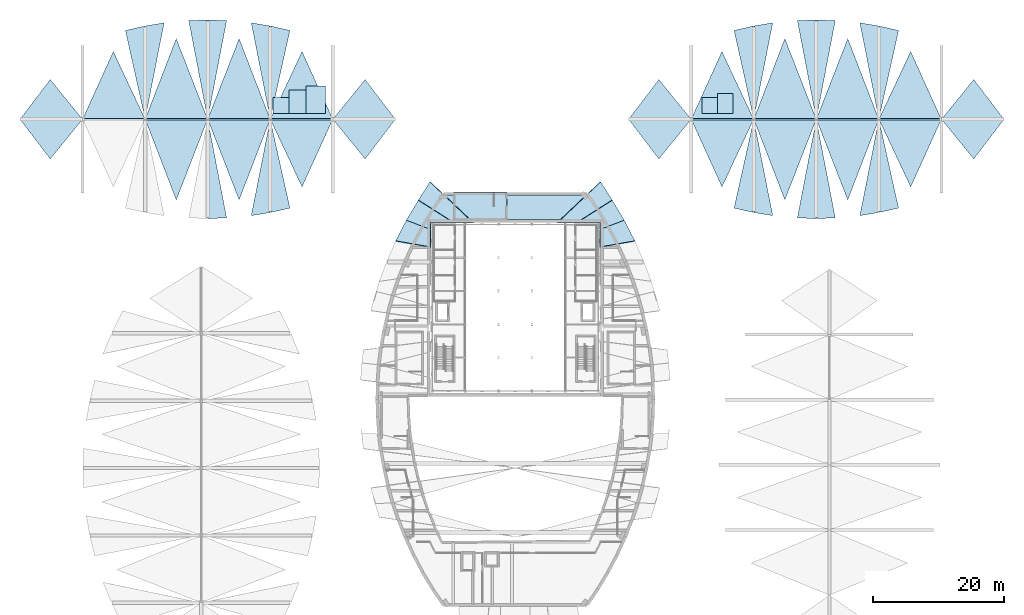
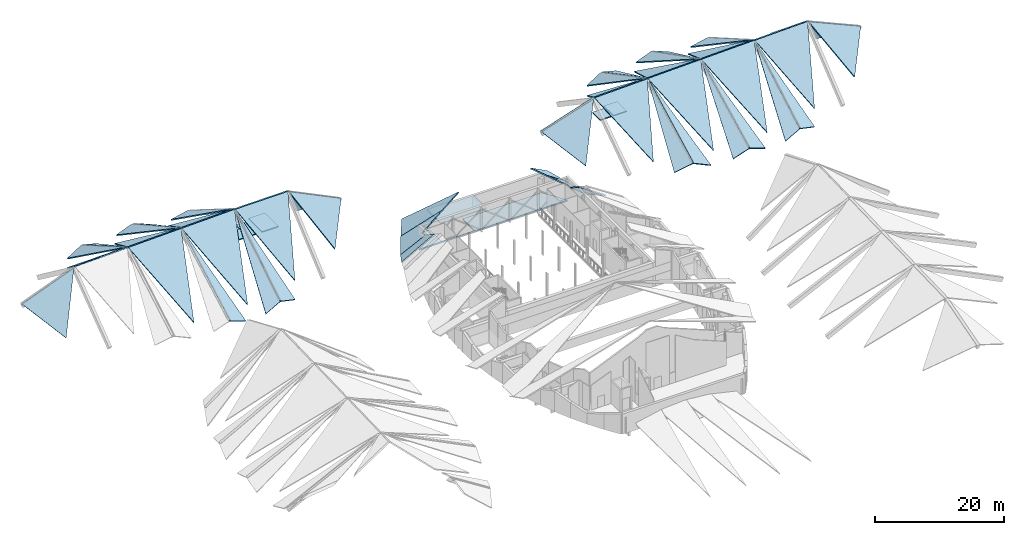
# One storey, part 9 of 17: 57 slabs.
"""IFC4 building model written with IfcOpenShell, lengths in metres."""

from ifc_helpers import new_model, si_unit, direction, frame, origin, place, context, subcontext, project, spatial, polyline, outline, extrude, material, layer, layer_set, type_object, element, save


model = new_model("IFC4")

# Units and contexts
model_context = context("Model", 3, precision=1e-05, world=origin(), true_north=direction((0.0, 1.0)))
body_context = subcontext(model_context, "Body", "Model", "MODEL_VIEW")
ifc_project = project(units=[si_unit("LENGTHUNIT", "METRE"), si_unit("AREAUNIT", "SQUARE_METRE"), si_unit("VOLUMEUNIT", "CUBIC_METRE"), si_unit("PLANEANGLEUNIT", "RADIAN"), si_unit("MASSUNIT", "GRAM", prefix="KILO")], contexts=[model_context])

# Site, building, storey
site_placement = place(None, origin())
site = spatial("IfcSite", under=ifc_project, at=site_placement, CompositionType="ELEMENT")
building_placement = place(site_placement, origin())
building = spatial("IfcBuilding", under=site, at=building_placement, Name="Tide Square Theatres", CompositionType="ELEMENT")
storey_placement = place(building_placement, frame((0.0, 0.0, 14.800048828125)))
storey = spatial("IfcBuildingStorey", under=building, at=storey_placement, Name="L03", CompositionType="ELEMENT", Elevation=14.800048828125)

# Slabs
ifc_material_1 = material(Name="Concrete C35", Category="concrete")
ifc_layer_1 = layer(ifc_material_1, 0.25)
ifc_layer_set_1 = layer_set([ifc_layer_1], Name="Concrete C35")
slab_type_1 = type_object("IfcSlabType", Name="RC floor slab 250", PredefinedType="FLOOR", material=ifc_layer_set_1)
slab_1_placement = place(storey_placement, frame((0.0, 0.0, -0.25)))
element("IfcSlab", 1, at=slab_1_placement, inside=storey, type_object=slab_type_1, Name="Floor slab", PredefinedType="FLOOR", context=body_context, shape_type="SweptSolid", body=[
    extrude(outline(polyline([(71.578125, 83.892333984375), (70.710205078125, 82.449951171875), (97.289794921875, 82.449951171875), (96.421875, 83.892333984375), (94.85498046875, 86.1923828125), (80.69482421875, 86.1923828125), (80.69482421875, 82.60009765625), (74.800048828125, 82.60009765625), (74.800048828125, 86.1923828125), (73.14501953125, 86.1923828125), (71.578125, 83.892333984375)])), origin(), (0.0, 0.0, 1.0), 0.25),
])
ifc_material_2 = material(Name="Concrete C40", Category="concrete")
ifc_layer_2 = layer(ifc_material_2, 0.199951171875)
ifc_layer_set_2 = layer_set([ifc_layer_2], Name="Concrete C40")
slab_type_2 = type_object("IfcSlabType", Name="RC roof slab 200", PredefinedType="ROOF", material=ifc_layer_set_2)
slab_2_placement = place(storey_placement, frame((0.0, 0.0, 3.46337890625)))
element("IfcSlab", 2, at=slab_2_placement, inside=storey, type_object=slab_type_2, Name="Main Theatre stair 5 head cover", PredefinedType="ROOF", context=body_context, shape_type="SweptSolid", body=[
    extrude(outline(polyline([(82.75, 86.64990234375), (74.550048828125, 86.64990234375), (74.550048828125, 82.35009765625), (82.75, 82.35009765625), (82.75, 86.64990234375)])), origin(), (0.0, 0.0, 1.0), 0.199951171875),
])
slab_3_placement = place(storey_placement, frame((100.648193359375, 82.37353515625, 0.1611328125), z_axis=(0.470704080111, 0.494541628134, 0.730661513294), x_axis=(-0.713952930525, -0.273057286725, 0.644756489817)))
element("IfcSlab", 3, at=slab_3_placement, inside=storey, type_object=slab_type_2, Name="Roof plate main-P028", PredefinedType="ROOF", context=body_context, shape_type="SweptSolid", body=[
    extrude(outline(polyline([(0.0, 0.0), (5.109890103649642, 0.0), (7.010782420096238, 2.6181524700937686), (0.39809343783097717, 3.679762099184262), (0.0, 0.0)])), origin(), (0.0, 0.0, -1.0), 0.199951171875),
])
slab_4_placement = place(storey_placement, frame((98.827392578125, 85.4208984375, 1.209716796875), z_axis=(0.639469491343, 0.120832786224, 0.759261619875), x_axis=(-0.660396849913, -0.419317812906, 0.622935448024)))
element("IfcSlab", 4, at=slab_4_placement, inside=storey, type_object=slab_type_2, Name="Roof plate main-P029", PredefinedType="ROOF", context=body_context, shape_type="SweptSolid", body=[
    extrude(outline(polyline([(0.0, 0.0), (8.15823807724221, 0.0), (3.939131525750853, 1.96624224087052), (4.468848336150369, 2.8549307454784354), (-0.577837528129227, 3.6561414928430005), (0.0, 0.0)])), origin(), (0.0, 0.0, -1.0), 0.199951171875),
])
slab_5_placement = place(storey_placement, frame((98.827392578125, 85.4208984375, 1.209716796875), z_axis=(0.629571531731, 0.142971065343, 0.763674643358), x_axis=(-0.515688369031, 0.812085599158, 0.273097941563)))
element("IfcSlab", 5, at=slab_5_placement, inside=storey, type_object=slab_type_2, Name="Roof plate main-P030", PredefinedType="ROOF", context=body_context, shape_type="SweptSolid", body=[
    extrude(outline(polyline([(0.0, 0.0), (3.457895323946825, -1.1102230246251565e-16), (3.582117577128825, 11.188427710711728), (1.3882017245957932, 8.039262683711494), (0.0, 0.0)])), origin(), (0.0, 0.0, -1.0), 0.199951171875),
])
slab_6_placement = place(storey_placement, frame((65.728515625, 79.228515625, 1.244140625), z_axis=(-0.470704080111, 0.494541628134, 0.730661513294), x_axis=(0.787094376381, -0.138809625617, 0.601011090168)))
element("IfcSlab", 6, at=slab_6_placement, inside=storey, type_object=slab_type_2, Name="Roof plate main-P058", PredefinedType="ROOF", context=body_context, shape_type="SweptSolid", body=[
    extrude(outline(polyline([(0.0, 0.0), (6.697362957220552, 4.440892098500626e-16), (5.235510901822373, 2.8863649324906806), (0.19022453988785681, 3.696341720710019), (0.0, 0.0)])), origin(), (0.0, 0.0, -1.0), 0.199951171875),
])
slab_7_placement = place(storey_placement, frame((67.351806640625, 82.37353515625, 0.1611328125), z_axis=(-0.639469491343, 0.120832786224, 0.759261619875), x_axis=(0.713950071992, -0.273052083128, 0.64476185883)))
element("IfcSlab", 7, at=slab_7_placement, inside=storey, type_object=slab_type_2, Name="Roof plate main-P059", PredefinedType="ROOF", context=body_context, shape_type="SweptSolid", body=[
    extrude(outline(polyline([(0.0, 0.0), (5.1098901039466575, 1.1102230246251565e-16), (4.7260682372790175, 0.9607538353344518), (9.201287731910881, 2.241136245978927), (1.1439589157693537, 3.5203160118992933), (0.0, 0.0)])), origin(), (0.0, 0.0, -1.0), 0.199951171875),
])
slab_8_placement = place(storey_placement, frame((69.172607421875, 85.4208984375, 1.209716796875), z_axis=(-0.629571531731, 0.142971065343, 0.763674643358), x_axis=(0.660398548846, -0.419318102495, 0.622933451986)))
element("IfcSlab", 8, at=slab_8_placement, inside=storey, type_object=slab_type_2, Name="Roof plate main-P060", PredefinedType="ROOF", context=body_context, shape_type="SweptSolid", body=[
    extrude(outline(polyline([(0.0, 0.0), (8.15823807729873, -3.3306690738754696e-16), (11.634792988761648, 1.6260606024561897), (0.58839374466553, 3.4074672225293368), (0.0, 0.0)])), origin(), (0.0, 0.0, -1.0), 0.199951171875),
])
slab_9_placement = place(storey_placement, frame((0.0, 0.0, -0.199951171875)))
element("IfcSlab", 9, at=slab_9_placement, inside=storey, type_object=slab_type_2, Name="Scenery Workshops lift overrun cover", PredefinedType="ROOF", context=body_context, shape_type="SweptSolid", body=[
    extrude(outline(polyline([(47.0, 101.10009765625), (47.0, 98.699951171875), (49.39990234375, 98.699951171875), (49.39990234375, 101.10009765625), (47.0, 101.10009765625)])), origin(), (0.0, 0.0, 1.0), 0.199951171875),
])
slab_10_placement = place(storey_placement, frame((0.0, 0.0, -0.199951171875)))
element("IfcSlab", 10, at=slab_10_placement, inside=storey, type_object=slab_type_2, Name="Scenery Workshops lift overrun cover", PredefinedType="ROOF", context=body_context, shape_type="SweptSolid", body=[
    extrude(outline(polyline([(49.39990234375, 102.300048828125), (49.39990234375, 101.10009765625), (49.39990234375, 98.699951171875), (52.0, 98.699951171875), (52.0, 102.300048828125), (49.39990234375, 102.300048828125)])), origin(), (0.0, 0.0, 1.0), 0.199951171875),
])
slab_11_placement = place(storey_placement, frame((0.0, 0.0, -0.199951171875)))
element("IfcSlab", 11, at=slab_11_placement, inside=storey, type_object=slab_type_2, Name="Scenery Workshops lift overrun cover", PredefinedType="ROOF", context=body_context, shape_type="SweptSolid", body=[
    extrude(outline(polyline([(52.0, 102.89990234375), (52.0, 102.300048828125), (52.0, 98.699951171875), (55.0, 98.699951171875), (55.0, 102.89990234375), (52.0, 102.89990234375)])), origin(), (0.0, 0.0, 1.0), 0.199951171875),
])
slab_12_placement = place(storey_placement, frame((12.9384765625, 91.72900390625, -2.199951171875), z_axis=(-0.258290843553, -0.696651105096, 0.669300439194), x_axis=(0.435185300043, 0.534629789483, 0.724420280516)))
element("IfcSlab", 12, at=slab_12_placement, inside=storey, type_object=slab_type_2, Name="Roof plate workshops-P005", PredefinedType="ROOF", context=body_context, shape_type="SweptSolid", body=[
    extrude(outline(polyline([(0.0, 0.0), (11.082069880969835, 0.0), (4.4134195578475355, 7.452763231167829), (0.0, 0.0)])), origin(), (0.0, 0.0, -1.0), 0.199951171875),
])
slab_13_placement = place(storey_placement, frame((32.19580078125, 85.473388671875, -2.199951171875), z_axis=(-0.02456127473, -0.574495086825, 0.818139437381), x_axis=(0.302349892493, 0.775790876318, 0.55383486594)))
element("IfcSlab", 13, at=slab_13_placement, inside=storey, type_object=slab_type_2, Name="Roof plate workshops-P015", PredefinedType="ROOF", context=body_context, shape_type="SweptSolid", body=[
    extrude(outline(polyline([(0.0, 0.0), (15.733691978214258, 0.0), (12.714239789354234, 8.976081706663141), (0.0, 0.0)])), origin(), (0.0, 0.0, -1.0), 0.199951171875),
])
slab_14_placement = place(storey_placement, frame((39.90087890625, 82.71337890625, -2.928466796875), z_axis=(0.321129356881, -0.460801668213, 0.827367970567), x_axis=(-0.160468682724, 0.834531169381, 0.527074500613)))
element("IfcSlab", 14, at=slab_14_placement, inside=storey, type_object=slab_type_2, Name="Roof plate workshops-P016", PredefinedType="ROOF", context=body_context, shape_type="SweptSolid", body=[
    extrude(outline(polyline([(0.0, 0.0), (17.65762668238768, 6.661338147750939e-16), (0.9440159423297307, 2.873559195381902), (0.0, 0.0)])), origin(), (0.0, 0.0, -1.0), 0.199951171875),
])
slab_15_placement = place(storey_placement, frame((43.6572265625, 83.064208984375, -3.14599609375), z_axis=(-0.221465289281, -0.51862752127, 0.825819968168), x_axis=(0.926306521496, 0.15282011981, 0.344386758187)))
element("IfcSlab", 15, at=slab_15_placement, inside=storey, type_object=slab_type_2, Name="Roof plate workshops-P019", PredefinedType="ROOF", context=body_context, shape_type="SweptSolid", body=[
    extrude(outline(polyline([(0.0, 0.0), (3.04336818477867, -1.6653345369377348e-16), (8.153820678497047, 15.53046135205708), (0.0, 0.0)])), origin(), (0.0, 0.0, -1.0), 0.199951171875),
])
slab_16_placement = place(storey_placement, frame((41.80419921875, 85.473388671875, -2.199951171875), z_axis=(-0.024275428784, -0.587105763567, 0.809146170938), x_axis=(0.296569044562, 0.768720374011, 0.566670793661)))
element("IfcSlab", 16, at=slab_16_placement, inside=storey, type_object=slab_type_2, Name="Roof plate workshops-P020", PredefinedType="ROOF", context=body_context, shape_type="SweptSolid", body=[
    extrude(outline(polyline([(0.0, 0.0), (15.87491310651532, -6.661338147750939e-16), (12.90725267061094, 8.991274334769848), (0.0, 0.0)])), origin(), (0.0, 0.0, -1.0), 0.199951171875),
])
slab_17_placement = place(storey_placement, frame((49.5693359375, 84.2236328125, -3.184326171875), z_axis=(0.398681855349, -0.487732483045, 0.776640073134), x_axis=(-0.17527949748, 0.790717639583, 0.586551542677)))
element("IfcSlab", 17, at=slab_17_placement, inside=storey, type_object=slab_type_2, Name="Roof plate workshops-P021", PredefinedType="ROOF", context=body_context, shape_type="SweptSolid", body=[
    extrude(outline(polyline([(0.0, 0.0), (16.69209058712574, 4.440892098500626e-16), (0.6269187156837731, 3.128135594349546), (0.0, 0.0)])), origin(), (0.0, 0.0, -1.0), 0.199951171875),
])
slab_18_placement = place(storey_placement, frame((51.41943359375, 87.4580078125, -2.199951171875), z_axis=(-0.008011200557, -0.662149978711, 0.74932851698), x_axis=(0.321683978396, 0.707813149114, 0.628903779592)))
element("IfcSlab", 18, at=slab_18_placement, inside=storey, type_object=slab_type_2, Name="Roof plate workshops-P025", PredefinedType="ROOF", context=body_context, shape_type="SweptSolid", body=[
    extrude(outline(polyline([(0.0, 0.0), (14.414652895531006, 0.0), (11.317389871509894, 8.908634182393358), (0.0, 0.0)])), origin(), (0.0, 0.0, -1.0), 0.199951171875),
])
slab_19_placement = place(storey_placement, frame((61.0615234375, 91.72900390625, -2.199951171875), z_axis=(0.308651165021, -0.708810123893, 0.634289103326), x_axis=(0.520390741801, 0.68403155001, 0.511169555469)))
element("IfcSlab", 19, at=slab_19_placement, inside=storey, type_object=slab_type_2, Name="Roof plate workshops-P030", PredefinedType="ROOF", context=body_context, shape_type="SweptSolid", body=[
    extrude(outline(polyline([(0.0, 0.0), (8.657669577583238, 0.0), (6.124274497259776, 10.05728897118468), (0.0, 0.0)])), origin(), (0.0, 0.0, -1.0), 0.199951171875),
])
slab_20_placement = place(storey_placement, frame((12.9384765625, 103.870849609375, -2.199951171875), z_axis=(-0.258285677968, 0.696665879881, 0.669287053786), x_axis=(-0.520394852819, -0.684022418663, 0.51117758942)))
element("IfcSlab", 20, at=slab_20_placement, inside=storey, type_object=slab_type_2, Name="Roof plate workshops-P035", PredefinedType="ROOF", context=body_context, shape_type="SweptSolid", body=[
    extrude(outline(polyline([(0.0, 0.0), (8.661354343404044, 4.440892098500626e-16), (5.646568550785101, 9.535493880054105), (0.0, 0.0)])), origin(), (0.0, 0.0, -1.0), 0.199951171875),
])
slab_21_placement = place(storey_placement, frame((24.4306640625, 111.376220703125, -3.05224609375), z_axis=(-0.398493829869, 0.459309929413, 0.793874710706), x_axis=(0.17950343326, -0.80977258085, 0.558611568759)))
element("IfcSlab", 21, at=slab_21_placement, inside=storey, type_object=slab_type_2, Name="Roof plate workshops-P039", PredefinedType="ROOF", context=body_context, shape_type="SweptSolid", body=[
    extrude(outline(polyline([(0.0, 0.0), (16.299305238134544, 8.881784197001252e-16), (0.5957083309995186, 3.1340266696846375), (0.0, 0.0)])), origin(), (0.0, 0.0, -1.0), 0.199951171875),
])
slab_22_placement = place(storey_placement, frame((22.58056640625, 108.141845703125, -2.199951171875), z_axis=(-0.023301216719, 0.628818206609, 0.777203137112), x_axis=(-0.335128475263, -0.73734612022, 0.586523319284)))
element("IfcSlab", 22, at=slab_22_placement, inside=storey, type_object=slab_type_2, Name="Roof plate workshops-P040", PredefinedType="ROOF", context=body_context, shape_type="SweptSolid", body=[
    extrude(outline(polyline([(0.0, 0.0), (13.846572887402381, -8.881784197001252e-16), (10.849596307892561, 8.95398346914492), (0.0, 0.0)])), origin(), (0.0, 0.0, -1.0), 0.199951171875),
])
slab_23_placement = place(storey_placement, frame((30.3427734375, 112.535888671875, -3.0166015625), z_axis=(0.233104253631, 0.48700190097, 0.841719404191), x_axis=(-0.926127290703, -0.152790550688, 0.344881557982)))
element("IfcSlab", 23, at=slab_23_placement, inside=storey, type_object=slab_type_2, Name="Roof plate workshops-P041", PredefinedType="ROOF", context=body_context, shape_type="SweptSolid", body=[
    extrude(outline(polyline([(0.0, 0.0), (3.0439571592108363, -1.1102230246251565e-16), (7.922328512534479, 15.234423210970125), (0.0, 0.0)])), origin(), (0.0, 0.0, -1.0), 0.199951171875),
])
slab_24_placement = place(storey_placement, frame((34.09912109375, 112.886474609375, -2.928466796875), z_axis=(-0.321164965534, 0.460795792724, 0.827357421144), x_axis=(0.160470534312, -0.834526972212, 0.52708058233)))
element("IfcSlab", 24, at=slab_24_placement, inside=storey, type_object=slab_type_2, Name="Roof plate workshops-P044", PredefinedType="ROOF", context=body_context, shape_type="SweptSolid", body=[
    extrude(outline(polyline([(0.0, 0.0), (17.657422939938755, -1.3322676295501878e-15), (0.9438242002441037, 2.8736289927584195), (0.0, 0.0)])), origin(), (0.0, 0.0, -1.0), 0.199951171875),
])
slab_25_placement = place(storey_placement, frame((32.19580078125, 110.126708984375, -2.199951171875), z_axis=(-0.02456127473, 0.574495086825, 0.818139437381), x_axis=(-0.302566271635, -0.784275368967, 0.541632529396)))
element("IfcSlab", 25, at=slab_25_placement, inside=storey, type_object=slab_type_2, Name="Roof plate workshops-P045", PredefinedType="ROOF", context=body_context, shape_type="SweptSolid", body=[
    extrude(outline(polyline([(0.0, 0.0), (15.563480851849663, 0.0), (12.85328998615891, 9.074249269059711), (0.0, 0.0)])), origin(), (0.0, 0.0, -1.0), 0.199951171875),
])
slab_26_placement = place(storey_placement, frame((39.90087890625, 112.886474609375, -2.928466796875), z_axis=(0.321164965534, 0.460795792724, 0.827357421144), x_axis=(-0.93679926138, 0.026555829484, 0.348858039607)))
element("IfcSlab", 26, at=slab_26_placement, inside=storey, type_object=slab_type_2, Name="Roof plate workshops-P046", PredefinedType="ROOF", context=body_context, shape_type="SweptSolid", body=[
    extrude(outline(polyline([(0.0, 0.0), (3.024656626625275, 0.0), (5.50988265509461, 16.775749700295446), (0.0, 0.0)])), origin(), (0.0, 0.0, -1.0), 0.199951171875),
])
slab_27_placement = place(storey_placement, frame((43.6572265625, 112.535888671875, -3.14599609375), z_axis=(-0.221465289281, 0.51862752127, 0.825819968168), x_axis=(0.160716168144, -0.815856900331, 0.555470819648)))
element("IfcSlab", 27, at=slab_27_placement, inside=storey, type_object=slab_type_2, Name="Roof plate workshops-P049", PredefinedType="ROOF", context=body_context, shape_type="SweptSolid", body=[
    extrude(outline(polyline([(0.0, 0.0), (17.54081017127843, -1.1102230246251565e-16), (1.4147053753515277, 2.694568353015843), (0.0, 0.0)])), origin(), (0.0, 0.0, -1.0), 0.199951171875),
])
slab_28_placement = place(storey_placement, frame((41.80419921875, 110.126708984375, -2.199951171875), z_axis=(-0.024275428784, 0.587105763567, 0.809146170938), x_axis=(-0.302354322657, -0.775790812485, 0.553832536815)))
element("IfcSlab", 28, at=slab_28_placement, inside=storey, type_object=slab_type_2, Name="Roof plate workshops-P050", PredefinedType="ROOF", context=body_context, shape_type="SweptSolid", body=[
    extrude(outline(polyline([(0.0, 0.0), (15.730231583358343, 2.220446049250313e-16), (13.025969357409858, 9.07397313414754), (0.0, 0.0)])), origin(), (0.0, 0.0, -1.0), 0.199951171875),
])
slab_29_placement = place(storey_placement, frame((49.5693359375, 111.376220703125, -3.184326171875), z_axis=(0.398681818751, 0.487738652748, 0.776636217294), x_axis=(-0.917075508899, 0.207382729399, 0.340536216172)))
element("IfcSlab", 29, at=slab_29_placement, inside=storey, type_object=slab_type_2, Name="Roof plate workshops-P051", PredefinedType="ROOF", context=body_context, shape_type="SweptSolid", body=[
    extrude(outline(polyline([(0.0, 0.0), (3.1903384417191827, 0.0), (3.2801364848007344, 16.366433581476564), (0.0, 0.0)])), origin(), (0.0, 0.0, -1.0), 0.199951171875),
])
slab_30_placement = place(storey_placement, frame((51.41943359375, 108.141845703125, -2.199951171875), z_axis=(-0.008011116507, 0.662158876279, 0.749320655379), x_axis=(-0.332863938547, -0.708376228135, 0.622418442711)))
element("IfcSlab", 30, at=slab_30_placement, inside=storey, type_object=slab_type_2, Name="Roof plate workshops-P055", PredefinedType="ROOF", context=body_context, shape_type="SweptSolid", body=[
    extrude(outline(polyline([(0.0, 0.0), (14.402850227772529, 4.440892098500626e-16), (11.326318213796178, 8.91581471334249), (0.0, 0.0)])), origin(), (0.0, 0.0, -1.0), 0.199951171875),
])
slab_31_placement = place(storey_placement, frame((61.0615234375, 103.870849609375, -2.199951171875), z_axis=(0.308644772031, 0.708824663991, 0.634275965505), x_axis=(-0.409385728612, -0.502915180208, 0.761235605266)))
element("IfcSlab", 31, at=slab_31_placement, inside=storey, type_object=slab_type_2, Name="Roof plate workshops-P060", PredefinedType="ROOF", context=body_context, shape_type="SweptSolid", body=[
    extrude(outline(polyline([(0.0, 0.0), (11.775096940898935, -4.440892098500626e-16), (4.502642624996959, 7.394495270540025), (0.0, 0.0)])), origin(), (0.0, 0.0, -1.0), 0.199951171875),
])
slab_32_placement = place(storey_placement, frame((0.0, 0.0, -0.199951171875)))
element("IfcSlab", 32, at=slab_32_placement, inside=storey, type_object=slab_type_2, Name="Rehearsal Block lift overrun cover", PredefinedType="ROOF", context=body_context, shape_type="SweptSolid", body=[
    extrude(outline(polyline([(112.5, 101.10009765625), (112.5, 98.699951171875), (114.89990234375, 98.699951171875), (114.89990234375, 101.10009765625), (112.5, 101.10009765625)])), origin(), (0.0, 0.0, 1.0), 0.199951171875),
])
slab_33_placement = place(storey_placement, frame((0.0, 0.0, -0.199951171875)))
element("IfcSlab", 33, at=slab_33_placement, inside=storey, type_object=slab_type_2, Name="Rehearsal Block lift overrun cover", PredefinedType="ROOF", context=body_context, shape_type="SweptSolid", body=[
    extrude(outline(polyline([(114.89990234375, 101.699951171875), (114.89990234375, 101.10009765625), (114.89990234375, 98.699951171875), (117.300048828125, 98.699951171875), (117.300048828125, 101.699951171875), (114.89990234375, 101.699951171875)])), origin(), (0.0, 0.0, 1.0), 0.199951171875),
])
slab_34_placement = place(storey_placement, frame((105.9384765625, 91.72900390625, -2.199951171875), z_axis=(-0.223468372586, -0.686852881731, 0.691588754471), x_axis=(0.45218776044, 0.555503773718, 0.697812142838)))
element("IfcSlab", 34, at=slab_34_placement, inside=storey, type_object=slab_type_2, Name="Roof plate rehearsal-P005", PredefinedType="ROOF", context=body_context, shape_type="SweptSolid", body=[
    extrude(outline(polyline([(0.0, 0.0), (10.669158506031032, -4.440892098500626e-16), (4.344155702780272, 7.496929741186772), (0.0, 0.0)])), origin(), (0.0, 0.0, -1.0), 0.199951171875),
])
slab_35_placement = place(storey_placement, frame((117.4306640625, 84.2236328125, -2.9140625), z_axis=(-0.397640082112, -0.427693433623, 0.811763938553), x_axis=(0.91725485578, -0.207405979071, 0.340038658676)))
element("IfcSlab", 35, at=slab_35_placement, inside=storey, type_object=slab_type_2, Name="Roof plate rehearsal-P009", PredefinedType="ROOF", context=body_context, shape_type="SweptSolid", body=[
    extrude(outline(polyline([(0.0, 0.0), (3.1899808130614034, 0.0), (2.7984041370912647, 15.662369301239636), (0.0, 0.0)])), origin(), (0.0, 0.0, -1.0), 0.199951171875),
])
slab_36_placement = place(storey_placement, frame((115.58056640625, 87.4580078125, -2.199951171875), z_axis=(-0.023993426508, -0.600363072872, 0.799367560148), x_axis=(0.349627320216, 0.744064977476, 0.569322444887)))
element("IfcSlab", 36, at=slab_36_placement, inside=storey, type_object=slab_type_2, Name="Roof plate rehearsal-P010", PredefinedType="ROOF", context=body_context, shape_type="SweptSolid", body=[
    extrude(outline(polyline([(0.0, 0.0), (13.729742188853228, 0.0), (10.266712866469977, 8.790040190471514), (0.0, 0.0)])), origin(), (0.0, 0.0, -1.0), 0.199951171875),
])
slab_37_placement = place(storey_placement, frame((123.3427734375, 83.064208984375, -2.88134765625), z_axis=(0.245502411828, -0.451853535568, 0.85764616724), x_axis=(-0.167740933859, 0.851575412117, 0.496671215781)))
element("IfcSlab", 37, at=slab_37_placement, inside=storey, type_object=slab_type_2, Name="Roof plate rehearsal-P011", PredefinedType="ROOF", context=body_context, shape_type="SweptSolid", body=[
    extrude(outline(polyline([(0.0, 0.0), (16.806224527478022, -4.440892098500626e-16), (1.3914335918330103, 2.708173918734067), (0.0, 0.0)])), origin(), (0.0, 0.0, -1.0), 0.199951171875),
])
slab_38_placement = place(storey_placement, frame((127.09912109375, 82.71337890625, -2.804931640625), z_axis=(-0.326048747968, -0.428973415436, 0.842421523228), x_axis=(0.936725438449, -0.026484436153, 0.349061638688)))
element("IfcSlab", 38, at=slab_38_placement, inside=storey, type_object=slab_type_2, Name="Roof plate rehearsal-P014", PredefinedType="ROOF", context=body_context, shape_type="SweptSolid", body=[
    extrude(outline(polyline([(0.0, 0.0), (3.0235918385149385, 5.551115123125783e-17), (5.263877787224901, 16.468496628627882), (0.0, 0.0)])), origin(), (0.0, 0.0, -1.0), 0.199951171875),
])
slab_39_placement = place(storey_placement, frame((125.19580078125, 85.473388671875, -2.199951171875), z_axis=(-0.025110100919, -0.546885471104, 0.836830785958), x_axis=(0.3086451021, 0.791957936136, 0.526821438764)))
element("IfcSlab", 39, at=slab_39_placement, inside=storey, type_object=slab_type_2, Name="Roof plate rehearsal-P015", PredefinedType="ROOF", context=body_context, shape_type="SweptSolid", body=[
    extrude(outline(polyline([(0.0, 0.0), (15.419902377753466, 2.220446049250313e-16), (12.347104292945076, 8.962861580247138), (0.0, 0.0)])), origin(), (0.0, 0.0, -1.0), 0.199951171875),
])
slab_40_placement = place(storey_placement, frame((132.90087890625, 82.71337890625, -2.804931640625), z_axis=(0.326048747968, -0.428973415436, 0.842421523228), x_axis=(-0.163816689106, 0.851999289193, 0.497253761761)))
element("IfcSlab", 40, at=slab_40_placement, inside=storey, type_object=slab_type_2, Name="Roof plate rehearsal-P016", PredefinedType="ROOF", context=body_context, shape_type="SweptSolid", body=[
    extrude(outline(polyline([(0.0, 0.0), (17.289296994556125, -4.440892098500626e-16), (0.9205589979398634, 2.8800483914764516), (0.0, 0.0)])), origin(), (0.0, 0.0, -1.0), 0.199951171875),
])
slab_41_placement = place(storey_placement, frame((136.6572265625, 83.064208984375, -3.0107421875), z_axis=(-0.233689365425, -0.485495244262, 0.842427236197), x_axis=(0.926101670967, 0.152786323997, 0.344952220216)))
element("IfcSlab", 41, at=slab_41_placement, inside=storey, type_object=slab_type_2, Name="Roof plate rehearsal-P019", PredefinedType="ROOF", context=body_context, shape_type="SweptSolid", body=[
    extrude(outline(polyline([(0.0, 0.0), (3.044041367435833, 0.0), (7.912056298676367, 15.22120172266504), (0.0, 0.0)])), origin(), (0.0, 0.0, -1.0), 0.199951171875),
])
slab_42_placement = place(storey_placement, frame((134.80419921875, 85.473388671875, -2.199951171875), z_axis=(-0.024846642132, -0.560386392399, 0.827858523897), x_axis=(0.302844675115, 0.784981937134, 0.540452089576)))
element("IfcSlab", 42, at=slab_42_placement, inside=storey, type_object=slab_type_2, Name="Roof plate rehearsal-P020", PredefinedType="ROOF", context=body_context, shape_type="SweptSolid", body=[
    extrude(outline(polyline([(0.0, 0.0), (15.553204217118466, 6.661338147750939e-16), (12.532132130390373, 8.978111424492273), (0.0, 0.0)])), origin(), (0.0, 0.0, -1.0), 0.199951171875),
])
slab_43_placement = place(storey_placement, frame((142.5693359375, 84.2236328125, -3.046142578125), z_axis=(0.398448081277, -0.457966396476, 0.794673458865), x_axis=(-0.179694977793, 0.810651667593, 0.557273351943)))
element("IfcSlab", 43, at=slab_43_placement, inside=storey, type_object=slab_type_2, Name="Roof plate rehearsal-P021", PredefinedType="ROOF", context=body_context, shape_type="SweptSolid", body=[
    extrude(outline(polyline([(0.0, 0.0), (16.28193111422748, -4.440892098500626e-16), (0.5944319313442061, 3.134217469183636), (0.0, 0.0)])), origin(), (0.0, 0.0, -1.0), 0.199951171875),
])
slab_44_placement = place(storey_placement, frame((144.41943359375, 87.4580078125, -2.199951171875), z_axis=(-0.023036198692, -0.640631800956, 0.767502592278), x_axis=(0.327464875979, 0.720519232958, 0.611243642043)))
element("IfcSlab", 44, at=slab_44_placement, inside=storey, type_object=slab_type_2, Name="Roof plate rehearsal-P025", PredefinedType="ROOF", context=body_context, shape_type="SweptSolid", body=[
    extrude(outline(polyline([(0.0, 0.0), (14.16689390696799, 4.440892098500626e-16), (10.903977610191202, 8.857941413249497), (0.0, 0.0)])), origin(), (0.0, 0.0, -1.0), 0.199951171875),
])
slab_45_placement = place(storey_placement, frame((154.0615234375, 91.72900390625, -2.199951171875), z_axis=(0.287695512484, -0.704069594419, 0.649243635557), x_axis=(0.520382274723, 0.684022016962, 0.511190931517)))
element("IfcSlab", 45, at=slab_45_placement, inside=storey, type_object=slab_type_2, Name="Roof plate rehearsal-P030", PredefinedType="ROOF", context=body_context, shape_type="SweptSolid", body=[
    extrude(outline(polyline([(0.0, 0.0), (8.659217914407867, 0.0), (5.918186977518628, 9.82729522850877), (0.0, 0.0)])), origin(), (0.0, 0.0, -1.0), 0.199951171875),
])
slab_46_placement = place(storey_placement, frame((105.9384765625, 103.870849609375, -2.199951171875), z_axis=(-0.223468372586, 0.686852881731, 0.691588754471), x_axis=(-0.520395939567, -0.684018183385, 0.511182150394)))
element("IfcSlab", 46, at=slab_46_placement, inside=storey, type_object=slab_type_2, Name="Roof plate rehearsal-P035", PredefinedType="ROOF", context=body_context, shape_type="SweptSolid", body=[
    extrude(outline(polyline([(0.0, 0.0), (8.66462026370972, 0.0), (5.349165267168608, 9.231325699558612), (0.0, 0.0)])), origin(), (0.0, 0.0, -1.0), 0.199951171875),
])
slab_47_placement = place(storey_placement, frame((117.4306640625, 111.376220703125, -2.9140625), z_axis=(-0.397669971357, 0.427681499248, 0.811755584571), x_axis=(0.18390644506, -0.829612177904, 0.527183131121)))
element("IfcSlab", 47, at=slab_47_placement, inside=storey, type_object=slab_type_2, Name="Roof plate rehearsal-P039", PredefinedType="ROOF", context=body_context, shape_type="SweptSolid", body=[
    extrude(outline(polyline([(0.0, 0.0), (15.910401561334117, 0.0), (0.5608678665332656, 3.14033882579088), (0.0, 0.0)])), origin(), (0.0, 0.0, -1.0), 0.199951171875),
])
slab_48_placement = place(storey_placement, frame((115.58056640625, 108.141845703125, -2.199951171875), z_axis=(-0.023993426508, 0.600363072872, 0.799367560148), x_axis=(-0.343535041922, -0.755856572415, 0.557372870625)))
element("IfcSlab", 48, at=slab_48_placement, inside=storey, type_object=slab_type_2, Name="Roof plate rehearsal-P040", PredefinedType="ROOF", context=body_context, shape_type="SweptSolid", body=[
    extrude(outline(polyline([(0.0, 0.0), (13.515553989113606, -2.220446049250313e-16), (10.429414946450134, 8.929340650190184), (0.0, 0.0)])), origin(), (0.0, 0.0, -1.0), 0.199951171875),
])
slab_49_placement = place(storey_placement, frame((123.3427734375, 112.535888671875, -2.88134765625), z_axis=(0.245502411828, 0.451853535568, 0.85764616724), x_axis=(-0.92589657528, -0.152752487738, 0.345517306909)))
element("IfcSlab", 49, at=slab_49_placement, inside=storey, type_object=slab_type_2, Name="Roof plate rehearsal-P041", PredefinedType="ROOF", context=body_context, shape_type="SweptSolid", body=[
    extrude(outline(polyline([(0.0, 0.0), (3.0447156541445284, -1.1102230246251565e-16), (7.6804365384954725, 14.948581118157923), (0.0, 0.0)])), origin(), (0.0, 0.0, -1.0), 0.199951171875),
])
slab_50_placement = place(storey_placement, frame((127.09912109375, 112.886474609375, -2.804931640625), z_axis=(-0.326082603558, 0.428962501468, 0.842413976612), x_axis=(0.163816689106, -0.851999289193, 0.497253761761)))
element("IfcSlab", 50, at=slab_50_placement, inside=storey, type_object=slab_type_2, Name="Roof plate rehearsal-P044", PredefinedType="ROOF", context=body_context, shape_type="SweptSolid", body=[
    extrude(outline(polyline([(0.0, 0.0), (17.28929699455613, 2.220446049250313e-16), (0.9203509903009004, 2.880121667714389), (0.0, 0.0)])), origin(), (0.0, 0.0, -1.0), 0.199951171875),
])
slab_51_placement = place(storey_placement, frame((125.19580078125, 110.126708984375, -2.199951171875), z_axis=(-0.025110100919, 0.546885471104, 0.836830785958), x_axis=(-0.308799017667, -0.800400397125, 0.513811610389)))
element("IfcSlab", 51, at=slab_51_placement, inside=storey, type_object=slab_type_2, Name="Roof plate rehearsal-P045", PredefinedType="ROOF", context=body_context, shape_type="SweptSolid", body=[
    extrude(outline(polyline([(0.0, 0.0), (15.257256376148792, -8.881784197001252e-16), (12.478727377406237, 9.05840782807989), (0.0, 0.0)])), origin(), (0.0, 0.0, -1.0), 0.199951171875),
])
slab_52_placement = place(storey_placement, frame((132.90087890625, 112.886474609375, -2.804931640625), z_axis=(0.326082603558, 0.428962501468, 0.842413976612), x_axis=(-0.936723432222, 0.026565124489, 0.349060891087)))
element("IfcSlab", 52, at=slab_52_placement, inside=storey, type_object=slab_type_2, Name="Roof plate rehearsal-P046", PredefinedType="ROOF", context=body_context, shape_type="SweptSolid", body=[
    extrude(outline(polyline([(0.0, 0.0), (3.0235983142913945, 5.551115123125783e-17), (5.262677100769345, 16.468880359605674), (0.0, 0.0)])), origin(), (0.0, 0.0, -1.0), 0.199951171875),
])
slab_53_placement = place(storey_placement, frame((136.6572265625, 112.535888671875, -3.0107421875), z_axis=(-0.233689365425, 0.485495244262, 0.842427236197), x_axis=(0.164332968215, -0.834231396106, 0.526357913695)))
element("IfcSlab", 53, at=slab_53_placement, inside=storey, type_object=slab_type_2, Name="Roof plate rehearsal-P049", PredefinedType="ROOF", context=body_context, shape_type="SweptSolid", body=[
    extrude(outline(polyline([(0.0, 0.0), (17.154754931373564, -4.440892098500626e-16), (1.4039621534088376, 2.7009402285974855), (0.0, 0.0)])), origin(), (0.0, 0.0, -1.0), 0.199951171875),
])
slab_54_placement = place(storey_placement, frame((134.80419921875, 110.126708984375, -2.199951171875), z_axis=(-0.024846642132, 0.560386392399, 0.827858523897), x_axis=(-0.308654842548, -0.791955431818, 0.526819496778)))
element("IfcSlab", 54, at=slab_54_placement, inside=storey, type_object=slab_type_2, Name="Roof plate rehearsal-P050", PredefinedType="ROOF", context=body_context, shape_type="SweptSolid", body=[
    extrude(outline(polyline([(0.0, 0.0), (15.416251829941068, 4.440892098500626e-16), (12.643463044714574, 9.057869708509196), (0.0, 0.0)])), origin(), (0.0, 0.0, -1.0), 0.199951171875),
])
slab_55_placement = place(storey_placement, frame((142.5693359375, 111.376220703125, -3.046142578125), z_axis=(0.398480228344, 0.45795942302, 0.794661358369), x_axis=(-0.917132629104, 0.207472176026, 0.340327837252)))
element("IfcSlab", 55, at=slab_55_placement, inside=storey, type_object=slab_type_2, Name="Roof plate rehearsal-P051", PredefinedType="ROOF", context=body_context, shape_type="SweptSolid", body=[
    extrude(outline(polyline([(0.0, 0.0), (3.190139743321099, -1.1102230246251565e-16), (3.032920097240764, 15.996756913199174), (0.0, 0.0)])), origin(), (0.0, 0.0, -1.0), 0.199951171875),
])
slab_56_placement = place(storey_placement, frame((144.41943359375, 108.141845703125, -2.199951171875), z_axis=(-0.023035972563, 0.640640835018, 0.767495058274), x_axis=(-0.341421030018, -0.726584131325, 0.596244228793)))
element("IfcSlab", 56, at=slab_56_placement, inside=storey, type_object=slab_type_2, Name="Roof plate rehearsal-P055", PredefinedType="ROOF", context=body_context, shape_type="SweptSolid", body=[
    extrude(outline(polyline([(0.0, 0.0), (14.048304870101589, 6.661338147750939e-16), (10.995668966118089, 8.93258993114779), (0.0, 0.0)])), origin(), (0.0, 0.0, -1.0), 0.199951171875),
])
slab_57_placement = place(storey_placement, frame((154.0615234375, 103.870849609375, -2.199951171875), z_axis=(0.287689633949, 0.704084229273, 0.649230369443), x_axis=(-0.420301447869, -0.516305287624, 0.746173936084)))
element("IfcSlab", 57, at=slab_57_placement, inside=storey, type_object=slab_type_2, Name="Roof plate rehearsal-P060", PredefinedType="ROOF", context=body_context, shape_type="SweptSolid", body=[
    extrude(outline(polyline([(0.0, 0.0), (11.471607408387595, 2.220446049250313e-16), (4.467026877341347, 7.417872585138073), (0.0, 0.0)])), origin(), (0.0, 0.0, -1.0), 0.199951171875),
])

save(model, "model.ifc")
